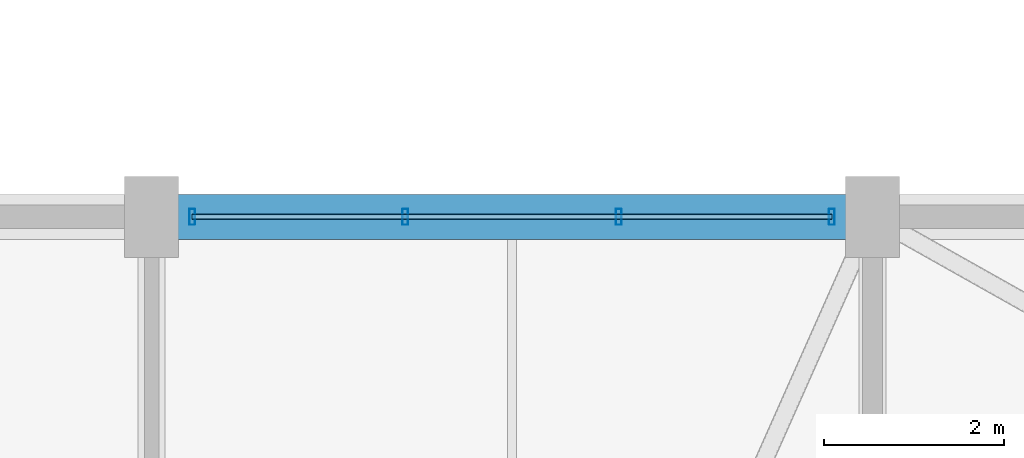
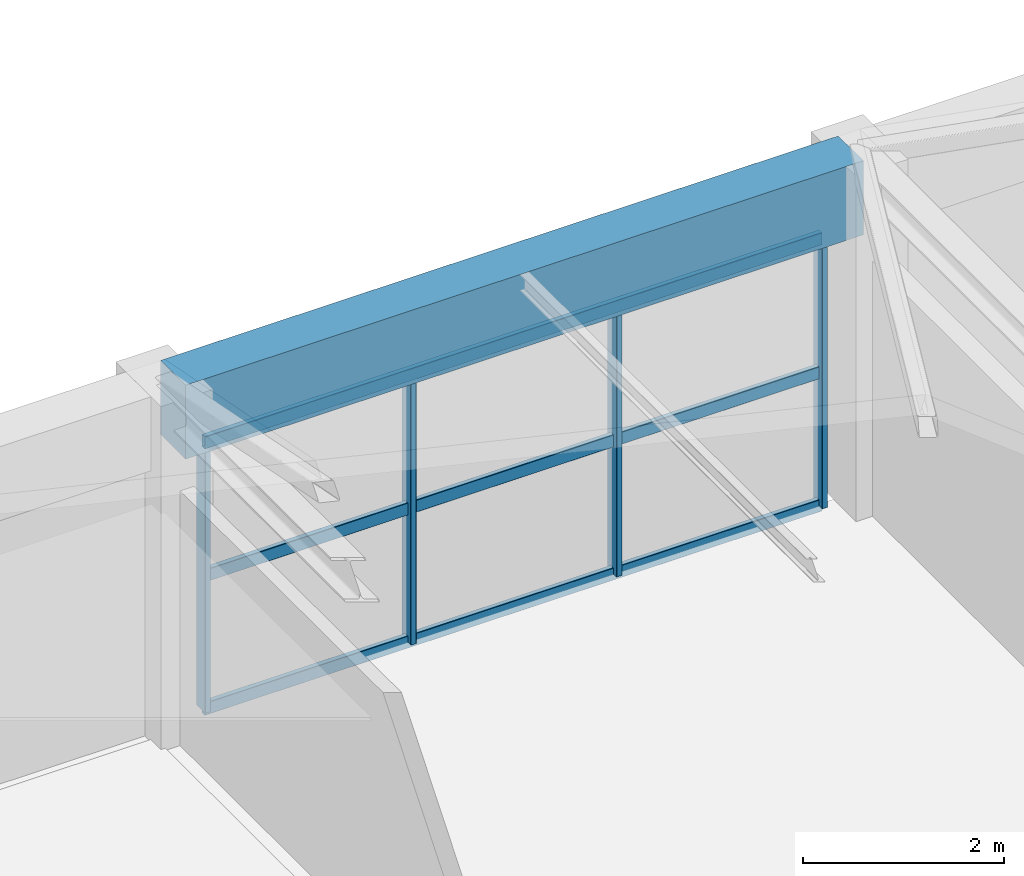
# One storey, part 44 of 65: 7 members, 1 beam, 1 element without a shape of its own.
"""IFC4 building model written with IfcOpenShell, lengths in metres."""

from ifc_helpers import new_model, si_unit, direction, frame, origin, origin_2d, place, context, subcontext, project, spatial, rectangle, hollow_rectangle, extrude, material, material_profile, profile_set, type_object, element, aggregate, save


model = new_model("IFC4")

# Units and contexts
model_context = context("Model", 3, precision=1e-05, world=origin(), true_north=direction((0.0, 1.0)))
body_context = subcontext(model_context, "Body", "Model", "MODEL_VIEW")
ifc_project = project(units=[si_unit("LENGTHUNIT", "METRE"), si_unit("AREAUNIT", "SQUARE_METRE"), si_unit("VOLUMEUNIT", "CUBIC_METRE"), si_unit("PLANEANGLEUNIT", "RADIAN"), si_unit("MASSUNIT", "GRAM", prefix="KILO")], contexts=[model_context])

# Site, building, storey
site_placement = place(None, origin())
site = spatial("IfcSite", under=ifc_project, at=site_placement, CompositionType="ELEMENT")
building_placement = place(site_placement, origin())
building = spatial("IfcBuilding", under=site, at=building_placement, Name="Varnabhumi Central Station", CompositionType="ELEMENT")
storey_placement = place(building_placement, frame((0.0, 0.0, 24.60009765625)))
storey = spatial("IfcBuildingStorey", under=building, at=storey_placement, Name="L05", CompositionType="ELEMENT", Elevation=24.60009765625)

# Beam
ifc_material_1 = material(Name="Concrete M40", Category="concrete")
ifc_material_profile_1 = material_profile(ifc_material_1, rectangle(XDim=0.5, YDim=0.89990234375, at=origin_2d()), Name="Concrete M40", Category="concrete")
ifc_profile_set_1 = profile_set([ifc_material_profile_1], Name="Concrete M40")
beam_type = type_object("IfcBeamType", Name="BM-RC-500x900", PredefinedType="BEAM", material=ifc_profile_set_1)
beam_placement = place(storey_placement, frame((104.10009765625, 36.0, 3.75), z_axis=(1.0, 0.0, 0.0), x_axis=(0.0, 1.0, 0.0)))
element("IfcBeam", 1, at=beam_placement, inside=storey, type_object=beam_type, Name="Beam L05-E:14-15", PredefinedType="BEAM", context=body_context, shape_type="SweptSolid", body=[
    extrude(rectangle(XDim=0.5, YDim=0.89990234375, at=origin_2d()), origin(), (0.0, 0.0, 1.0), 7.7998046875),
])

# Curtain wall, members
ifc_material_2 = material(Name="Anodised aluminium 6063-T6", Category="aluminium")
curtain_wall_type = type_object("IfcCurtainWallType", Name="CW-SPINE-SCREEN-L0", PredefinedType="NOTDEFINED", material=ifc_material_2)
curtain_wall_placement = place(storey_placement, origin())
curtain_wall = element("IfcCurtainWall", 2, at=curtain_wall_placement, inside=storey, type_object=curtain_wall_type, Name="Curtain Wall CW-SS509", PredefinedType="NOTDEFINED")
ifc_material_profile_2 = material_profile(ifc_material_2, hollow_rectangle(XDim=0.06494140625, YDim=0.179931640625, WallThickness=0.00390625, InnerFilletRadius=0.001953125, OuterFilletRadius=0.006103515625, at=origin_2d()), Name="Anodised aluminium 6063-T6", Category="aluminium")
ifc_profile_set_2 = profile_set([ifc_material_profile_2], Name="Anodised aluminium 6063-T6")
member_type_1 = type_object("IfcMemberType", Name="CW-MUL-180", PredefinedType="MULLION", material=ifc_profile_set_2)
member_1_placement = place(storey_placement, frame((104.449951171875, 36.0, 0.0), z_axis=(0.0, 0.0, 1.0), x_axis=(1.0, 0.0, 0.0)))
member_1 = element("IfcMember", 3, at=member_1_placement, type_object=member_type_1, Name="Curtain Wall Mullion CW-SS509-M1", PredefinedType="MULLION", context=body_context, shape_type="SweptSolid", body=[
    extrude(hollow_rectangle(XDim=0.06494140625, YDim=0.179931640625, WallThickness=0.00390625, InnerFilletRadius=0.001953125, OuterFilletRadius=0.006103515625, at=origin_2d()), origin(), (0.0, 0.0, 1.0), 3.239990234375),
])
member_2_placement = place(storey_placement, frame((106.816650390625, 36.0, 0.0), z_axis=(0.0, 0.0, 1.0), x_axis=(1.0, 0.0, 0.0)))
member_2 = element("IfcMember", 4, at=member_2_placement, type_object=member_type_1, Name="Curtain Wall Mullion CW-SS509-M2", PredefinedType="MULLION", context=body_context, shape_type="SweptSolid", body=[
    extrude(hollow_rectangle(XDim=0.06494140625, YDim=0.179931640625, WallThickness=0.00390625, InnerFilletRadius=0.001953125, OuterFilletRadius=0.006103515625, at=origin_2d()), origin(), (0.0, 0.0, 1.0), 3.239990234375),
])
member_3_placement = place(storey_placement, frame((109.183349609375, 36.0, 0.0), z_axis=(0.0, 0.0, 1.0), x_axis=(1.0, 0.0, 0.0)))
member_3 = element("IfcMember", 5, at=member_3_placement, type_object=member_type_1, Name="Curtain Wall Mullion CW-SS509-M3", PredefinedType="MULLION", context=body_context, shape_type="SweptSolid", body=[
    extrude(hollow_rectangle(XDim=0.06494140625, YDim=0.179931640625, WallThickness=0.00390625, InnerFilletRadius=0.001953125, OuterFilletRadius=0.006103515625, at=origin_2d()), origin(), (0.0, 0.0, 1.0), 3.239990234375),
])
member_4_placement = place(storey_placement, frame((111.550048828125, 36.0, 0.0), z_axis=(0.0, 0.0, 1.0), x_axis=(1.0, 0.0, 0.0)))
member_4 = element("IfcMember", 6, at=member_4_placement, type_object=member_type_1, Name="Curtain Wall Mullion CW-SS509-M4", PredefinedType="MULLION", context=body_context, shape_type="SweptSolid", body=[
    extrude(hollow_rectangle(XDim=0.06494140625, YDim=0.179931640625, WallThickness=0.00390625, InnerFilletRadius=0.001953125, OuterFilletRadius=0.006103515625, at=origin_2d()), origin(), (0.0, 0.0, 1.0), 3.239990234375),
])
ifc_material_profile_3 = material_profile(ifc_material_2, hollow_rectangle(XDim=0.06005859375, YDim=0.14990234375, WallThickness=0.00390625, InnerFilletRadius=0.001953125, OuterFilletRadius=0.006103515625, at=origin_2d()), Name="Anodised aluminium 6063-T6", Category="aluminium")
ifc_profile_set_3 = profile_set([ifc_material_profile_3], Name="Anodised aluminium 6063-T6")
member_type_2 = type_object("IfcMemberType", Name="CW-TR-150", PredefinedType="USERDEFINED", material=ifc_profile_set_3)
member_5_placement = place(storey_placement, frame((104.449951171875, 36.0, 0.0), z_axis=(1.0, 0.0, 0.0), x_axis=(0.0, 1.0, 0.0)))
member_5 = element("IfcMember", 7, at=member_5_placement, type_object=member_type_2, Name="Curtain Wall Transom CW-SS509-T1", ObjectType="TRANSOM", PredefinedType="USERDEFINED", context=body_context, shape_type="SweptSolid", body=[
    extrude(hollow_rectangle(XDim=0.06005859375, YDim=0.14990234375, WallThickness=0.00390625, InnerFilletRadius=0.001953125, OuterFilletRadius=0.006103515625, at=origin_2d()), origin(), (0.0, 0.0, 1.0), 7.10009765625),
])
member_6_placement = place(storey_placement, frame((104.449951171875, 36.0, 1.619873046875), z_axis=(1.0, 0.0, 0.0), x_axis=(0.0, 1.0, 0.0)))
member_6 = element("IfcMember", 8, at=member_6_placement, type_object=member_type_2, Name="Curtain Wall Transom CW-SS509-T2", ObjectType="TRANSOM", PredefinedType="USERDEFINED", context=body_context, shape_type="SweptSolid", body=[
    extrude(hollow_rectangle(XDim=0.06005859375, YDim=0.14990234375, WallThickness=0.00390625, InnerFilletRadius=0.001953125, OuterFilletRadius=0.006103515625, at=origin_2d()), origin(), (0.0, 0.0, 1.0), 7.10009765625),
])
member_7_placement = place(storey_placement, frame((104.449951171875, 36.0, 3.239990234375), z_axis=(1.0, 0.0, 0.0), x_axis=(0.0, 1.0, 0.0)))
member_7 = element("IfcMember", 9, at=member_7_placement, type_object=member_type_2, Name="Curtain Wall Transom CW-SS509-T3", ObjectType="TRANSOM", PredefinedType="USERDEFINED", context=body_context, shape_type="SweptSolid", body=[
    extrude(hollow_rectangle(XDim=0.06005859375, YDim=0.14990234375, WallThickness=0.00390625, InnerFilletRadius=0.001953125, OuterFilletRadius=0.006103515625, at=origin_2d()), origin(), (0.0, 0.0, 1.0), 7.10009765625),
])
aggregate(curtain_wall, [member_1, member_2, member_3, member_4, member_5, member_6, member_7])

save(model, "model.ifc")
